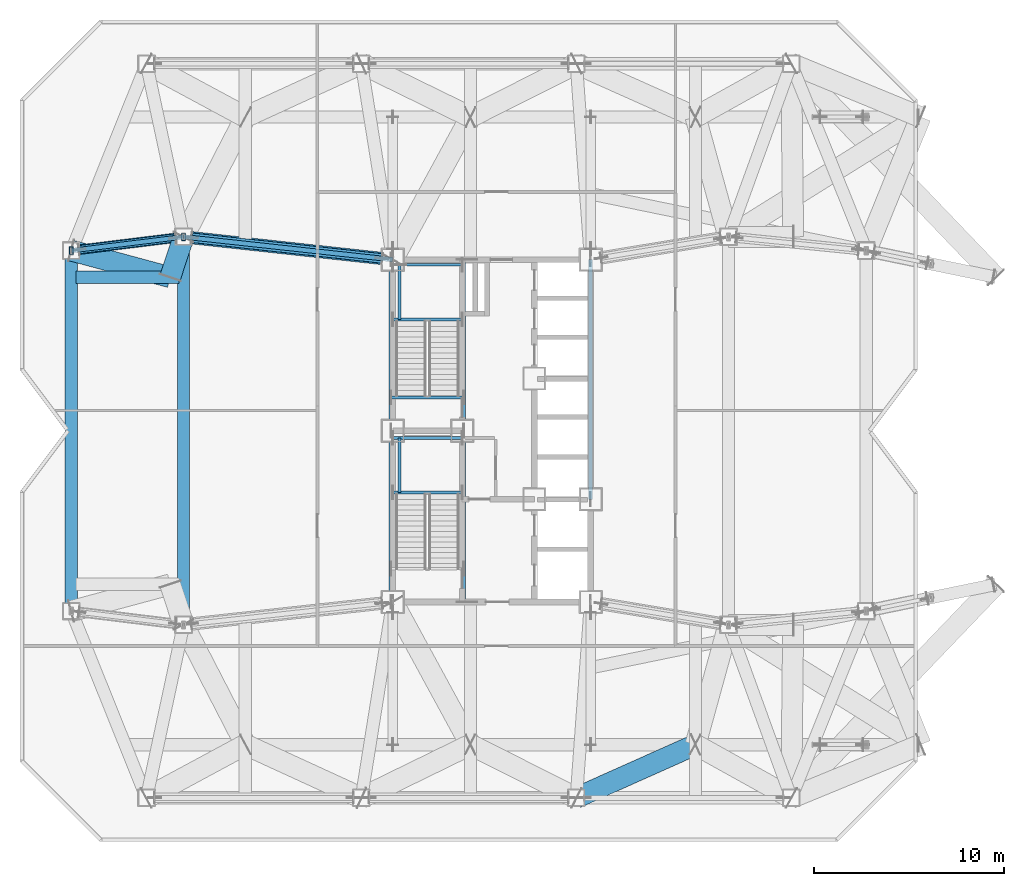
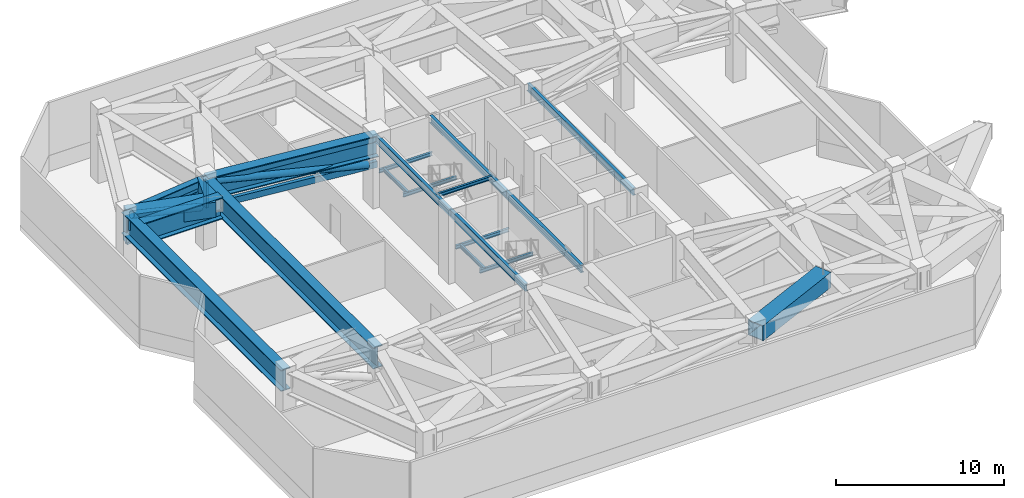
# One storey, part 3 of 19: 20 beams, 8 members.
"""IFC4 building model written with IfcOpenShell, lengths in metres."""

from ifc_helpers import new_model, si_unit, direction, frame, origin, origin_2d, place, context, subcontext, project, spatial, hollow_rectangle, hollow_circle, i_section, extrude, material, material_profile, profile_set, type_object, element, save


model = new_model("IFC4")

# Units and contexts
model_context = context("Model", 3, precision=1e-05, world=origin(), true_north=direction((0.0, 1.0)))
body_context = subcontext(model_context, "Body", "Model", "MODEL_VIEW")
ifc_project = project(units=[si_unit("LENGTHUNIT", "METRE"), si_unit("AREAUNIT", "SQUARE_METRE"), si_unit("VOLUMEUNIT", "CUBIC_METRE"), si_unit("PLANEANGLEUNIT", "RADIAN"), si_unit("MASSUNIT", "GRAM", prefix="KILO")], contexts=[model_context])

# Site, building, storey
site_placement = place(None, origin())
site = spatial("IfcSite", under=ifc_project, at=site_placement, CompositionType="ELEMENT")
building_placement = place(site_placement, origin())
building = spatial("IfcBuilding", under=site, at=building_placement, Name="Khamvora Tower", CompositionType="ELEMENT")
storey_placement = place(building_placement, frame((0.0, 0.0, 150.5)))
storey = spatial("IfcBuildingStorey", under=building, at=storey_placement, Name="L38", CompositionType="ELEMENT", Elevation=150.5)

# Beams
ifc_material_1 = material(Name="Steel S355", Category="steel")
ifc_material_profile_1 = material_profile(ifc_material_1, i_section(OverallWidth=0.14697265625, OverallDepth=0.261962890625, WebThickness=0.007080078125, FlangeThickness=0.010986328125, FilletRadius=0.008056640625, at=origin_2d()), Name="W250x39")
ifc_profile_set_1 = profile_set([ifc_material_profile_1], Name="Steel S355")
beam_type_1 = type_object("IfcBeamType", Name="BM-LN-W250x39", PredefinedType="LINTEL", material=ifc_profile_set_1)
for number, where, z_axis, x_axis, name in (
    (1, (29.0, 24.7548828125, 2.368896484375), (1.0, 0.0, 0.0), (0.0, 1.0, 0.0), "L38 ST-01 half-landing support beam 1.1"),
    (2, (29.0, 27.6298828125, 2.368896484375), (1.0, 0.0, 0.0), (0.0, 1.0, 0.0), "L38 ST-01 half-landing support beam 1.2"),
):
    element("IfcBeam", number, at=place(storey_placement, frame(where, z_axis=z_axis, x_axis=x_axis)), inside=storey, type_object=beam_type_1, Name=name, PredefinedType="LINTEL", context=body_context, shape_type="SweptSolid", body=[
        extrude(i_section(OverallWidth=0.14697265625, OverallDepth=0.261962890625, WebThickness=0.007080078125, FlangeThickness=0.010986328125, FilletRadius=0.008056640625, at=origin_2d()), origin(), (0.0, 0.0, 1.0), 3.64990234375),
    ])
beam_1_placement = place(storey_placement, frame((29.35009765625, 24.7548828125, 2.368896484375), z_axis=(0.0, 1.0, 0.0), x_axis=(-1.0, 0.0, 0.0)))
element("IfcBeam", 3, at=beam_1_placement, inside=storey, type_object=beam_type_1, Name="L38 ST-01 half-landing edge stringer 1", PredefinedType="LINTEL", context=body_context, shape_type="SweptSolid", body=[
    extrude(i_section(OverallWidth=0.14697265625, OverallDepth=0.261962890625, WebThickness=0.007080078125, FlangeThickness=0.010986328125, FilletRadius=0.008056640625, at=origin_2d()), origin(), (0.0, 0.0, 1.0), 2.875),
])
for number, where, z_axis, x_axis, name in (
    (4, (29.0, 33.85498046875, 2.368896484375), (1.0, 0.0, 0.0), (0.0, 1.0, 0.0), "L38 ST-02 half-landing support beam 1.1"),
    (5, (29.0, 36.72998046875, 2.368896484375), (1.0, 0.0, 0.0), (0.0, 1.0, 0.0), "L38 ST-02 half-landing support beam 1.2"),
):
    element("IfcBeam", number, at=place(storey_placement, frame(where, z_axis=z_axis, x_axis=x_axis)), inside=storey, type_object=beam_type_1, Name=name, PredefinedType="LINTEL", context=body_context, shape_type="SweptSolid", body=[
        extrude(i_section(OverallWidth=0.14697265625, OverallDepth=0.261962890625, WebThickness=0.007080078125, FlangeThickness=0.010986328125, FilletRadius=0.008056640625, at=origin_2d()), origin(), (0.0, 0.0, 1.0), 3.64990234375),
    ])
beam_2_placement = place(storey_placement, frame((29.35009765625, 33.85498046875, 2.368896484375), z_axis=(0.0, 1.0, 0.0), x_axis=(-1.0, 0.0, 0.0)))
element("IfcBeam", 6, at=beam_2_placement, inside=storey, type_object=beam_type_1, Name="L38 ST-02 half-landing edge stringer 1", PredefinedType="LINTEL", context=body_context, shape_type="SweptSolid", body=[
    extrude(i_section(OverallWidth=0.14697265625, OverallDepth=0.261962890625, WebThickness=0.007080078125, FlangeThickness=0.010986328125, FilletRadius=0.008056640625, at=origin_2d()), origin(), (0.0, 0.0, 1.0), 2.875),
])
beam_3_placement = place(storey_placement, frame((28.89990234375, 29.75, 4.85400390625), z_axis=(1.0, 0.0, 0.0), x_axis=(0.0, 1.0, 0.0)))
element("IfcBeam", 7, at=beam_3_placement, inside=storey, type_object=beam_type_1, Name="L38 exit stair ST-02 landing trimmer beam", PredefinedType="LINTEL", context=body_context, shape_type="SweptSolid", body=[
    extrude(i_section(OverallWidth=0.14697265625, OverallDepth=0.261962890625, WebThickness=0.007080078125, FlangeThickness=0.010986328125, FilletRadius=0.008056640625, at=origin_2d()), origin(), (0.0, 0.0, 1.0), 3.830078125),
])
ifc_material_profile_2 = material_profile(ifc_material_1, i_section(OverallWidth=0.208984375, OverallDepth=0.532958984375, WebThickness=0.010009765625, FlangeThickness=0.01611328125, FilletRadius=0.013916015625, at=origin_2d()), Name="W530x92")
ifc_profile_set_2 = profile_set([ifc_material_profile_2], Name="Steel S355")
beam_type_2 = type_object("IfcBeamType", Name="BM-SP-W530x92", PredefinedType="SPANDREL", material=ifc_profile_set_2)
for number, where, z_axis, x_axis, name in (
    (8, (28.89990234375, 19.0, 4.712890625), (0.0, 1.0, 0.0), (-1.0, 0.0, 0.0), "L38 core spine girder WS"),
    (9, (28.89990234375, 28.0, 4.712890625), (0.0, 1.0, 0.0), (-1.0, 0.0, 0.0), "L38 core spine girder WN"),
    (10, (32.72998046875, 19.0, 4.712890625), (0.0, 1.0, 0.0), (-1.0, 0.0, 0.0), "L38 core spine girder M1S"),
    (11, (32.72998046875, 28.0, 4.712890625), (0.0, 1.0, 0.0), (-1.0, 0.0, 0.0), "L38 core spine girder M1N"),
):
    element("IfcBeam", number, at=place(storey_placement, frame(where, z_axis=z_axis, x_axis=x_axis)), inside=storey, type_object=beam_type_2, Name=name, PredefinedType="SPANDREL", context=body_context, shape_type="SweptSolid", body=[
        extrude(i_section(OverallWidth=0.208984375, OverallDepth=0.532958984375, WebThickness=0.010009765625, FlangeThickness=0.01611328125, FilletRadius=0.013916015625, at=origin_2d()), origin(), (0.0, 0.0, 1.0), 9.0),
    ])
beam_4_placement = place(storey_placement, frame((39.39990234375, 24.39990234375, 4.712890625), z_axis=(0.0, 1.0, 0.0), x_axis=(-1.0, 0.0, 0.0)))
element("IfcBeam", 12, at=beam_4_placement, inside=storey, type_object=beam_type_2, Name="L38 core spine girder EN", PredefinedType="SPANDREL", context=body_context, shape_type="SweptSolid", body=[
    extrude(i_section(OverallWidth=0.208984375, OverallDepth=0.532958984375, WebThickness=0.010009765625, FlangeThickness=0.01611328125, FilletRadius=0.013916015625, at=origin_2d()), origin(), (0.0, 0.0, 1.0), 12.60009765625),
])
ifc_material_2 = material(Name="Steel S460", Category="steel")
ifc_material_profile_3 = material_profile(ifc_material_2, hollow_rectangle(XDim=1.10009765625, YDim=1.10009765625, WallThickness=0.054931640625, at=origin_2d()), Name="BOX1100x1100x55")
ifc_profile_set_3 = profile_set([ifc_material_profile_3], Name="Steel S460")
beam_type_3 = type_object("IfcBeamType", Name="BM-TG-BOX1100", PredefinedType="BEAM", material=ifc_profile_set_3)
beam_5_placement = place(storey_placement, frame((38.64990234375, 8.699951171875, 4.429931640625), z_axis=(0.913016320548, 0.40792303001, 0.0), x_axis=(-0.40792303001, 0.913016320548, 0.0)))
element("IfcBeam", 13, at=beam_5_placement, inside=storey, type_object=beam_type_3, Name="L38 Zone Transfer Truss frame transfer link S3.3", PredefinedType="BEAM", context=body_context, shape_type="SweptSolid", body=[
    extrude(hollow_rectangle(XDim=1.10009765625, YDim=1.10009765625, WallThickness=0.054931640625, at=origin_2d()), origin(), (0.0, 0.0, 1.0), 6.8642578125),
])
beam_6_placement = place(storey_placement, frame((18.0, 38.199951171875, 4.429931640625), z_axis=(-0.312853886784, -0.949801266331, 0.0), x_axis=(0.949801266331, -0.312853886784, 0.0)))
element("IfcBeam", 14, at=beam_6_placement, inside=storey, type_object=beam_type_3, Name="L38 Zone Transfer Truss frame transfer link W2.1", PredefinedType="BEAM", context=body_context, shape_type="SweptSolid", body=[
    extrude(hollow_rectangle(XDim=1.10009765625, YDim=1.10009765625, WallThickness=0.054931640625, at=origin_2d()), origin(), (0.0, 0.0, 1.0), 2.2373046875),
])
beam_7_placement = place(storey_placement, frame((12.10009765625, 37.47509765625, 4.429931640625), z_axis=(0.965608316792, -0.260001112578, 0.0), x_axis=(0.260001112578, 0.965608316792, 0.0)))
element("IfcBeam", 15, at=beam_7_placement, inside=storey, type_object=beam_type_3, Name="L38 Zone Transfer Truss frame transfer link W2.2", PredefinedType="BEAM", context=body_context, shape_type="SweptSolid", body=[
    extrude(hollow_rectangle(XDim=1.10009765625, YDim=1.10009765625, WallThickness=0.054931640625, at=origin_2d()), origin(), (0.0, 0.0, 1.0), 5.38525390625),
])
ifc_material_profile_4 = material_profile(ifc_material_2, i_section(OverallWidth=0.64990234375, OverallDepth=1.550048828125, WebThickness=0.0400390625, FlangeThickness=0.06494140625, at=origin_2d()), Name="PG1550x650x40x65")
ifc_profile_set_4 = profile_set([ifc_material_profile_4], Name="Steel S460")
beam_type_4 = type_object("IfcBeamType", Name="BM-TG-PG1800", PredefinedType="BEAM", material=ifc_profile_set_4)
beam_8_placement = place(storey_placement, frame((12.10009765625, 37.47509765625, 4.205078125), z_axis=(0.0, -1.0, 0.0), x_axis=(1.0, 0.0, 0.0)))
element("IfcBeam", 16, at=beam_8_placement, inside=storey, type_object=beam_type_4, Name="L38 perimeter spandrel beam W2-W1", PredefinedType="BEAM", context=body_context, shape_type="SweptSolid", body=[
    extrude(i_section(OverallWidth=0.64990234375, OverallDepth=1.550048828125, WebThickness=0.0400390625, FlangeThickness=0.06494140625, at=origin_2d()), origin(), (0.0, 0.0, 1.0), 18.9501953125),
])
beam_9_placement = place(storey_placement, frame((18.0, 17.800048828125, 4.205078125), z_axis=(0.0, 1.0, 0.0), x_axis=(-1.0, 0.0, 0.0)))
element("IfcBeam", 17, at=beam_9_placement, inside=storey, type_object=beam_type_4, Name="L38 longitudinal frame girder MW1-MW2", PredefinedType="BEAM", context=body_context, shape_type="SweptSolid", body=[
    extrude(i_section(OverallWidth=0.64990234375, OverallDepth=1.550048828125, WebThickness=0.0400390625, FlangeThickness=0.06494140625, at=origin_2d()), origin(), (0.0, 0.0, 1.0), 20.39990234375),
])
beam_10_placement = place(storey_placement, frame((29.0, 37.0, 4.205078125), z_axis=(-0.994102652327, 0.108443149329, 0.0), x_axis=(-0.108443149329, -0.994102652327, 0.0)))
element("IfcBeam", 18, at=beam_10_placement, inside=storey, type_object=beam_type_4, Name="L38 primary floor girder MW2", PredefinedType="BEAM", context=body_context, shape_type="SweptSolid", body=[
    extrude(i_section(OverallWidth=0.64990234375, OverallDepth=1.550048828125, WebThickness=0.0400390625, FlangeThickness=0.06494140625, at=origin_2d()), origin(), (0.0, 0.0, 1.0), 11.065185546875),
])
beam_11_placement = place(storey_placement, frame((12.340087890625, 36.074951171875, 4.205078125), z_axis=(1.0, 0.0, 0.0), x_axis=(0.0, 1.0, 0.0)))
element("IfcBeam", 19, at=beam_11_placement, inside=storey, type_object=beam_type_4, Name="L38 Zone Transfer Truss Box Girder W2", PredefinedType="BEAM", context=body_context, shape_type="SweptSolid", body=[
    extrude(i_section(OverallWidth=0.64990234375, OverallDepth=1.550048828125, WebThickness=0.0400390625, FlangeThickness=0.06494140625, at=origin_2d()), origin(), (0.0, 0.0, 1.0), 5.419921875),
])
ifc_material_profile_5 = material_profile(ifc_material_2, i_section(OverallWidth=0.423095703125, OverallDepth=0.93310546875, WebThickness=0.02392578125, FlangeThickness=0.04296875, FilletRadius=0.02001953125, at=origin_2d()), Name="W920x446")
ifc_profile_set_5 = profile_set([ifc_material_profile_5], Name="Steel S460")
beam_type_5 = type_object("IfcBeamType", Name="BM-TL-900", PredefinedType="BEAM", material=ifc_profile_set_5)
beam_12_placement = place(storey_placement, frame((18.0, 38.199951171875, 4.512939453125), z_axis=(-0.992537264608, -0.12194170068, 0.0), x_axis=(0.12194170068, -0.992537264608, 0.0)))
element("IfcBeam", 20, at=beam_12_placement, inside=storey, type_object=beam_type_5, Name="L38 primary floor girder W2", PredefinedType="BEAM", context=body_context, shape_type="SweptSolid", body=[
    extrude(i_section(OverallWidth=0.423095703125, OverallDepth=0.93310546875, WebThickness=0.02392578125, FlangeThickness=0.04296875, FilletRadius=0.02001953125, at=origin_2d()), origin(), (0.0, 0.0, 1.0), 5.9443359375),
])

# Members
ifc_material_profile_6 = material_profile(ifc_material_2, hollow_circle(Radius=0.25390625, WallThickness=0.02490234375, at=origin_2d()), Name="CHS508x25")
ifc_profile_set_6 = profile_set([ifc_material_profile_6], Name="Steel S460")
member_type_1 = type_object("IfcMemberType", Name="MEM-BR-CHS508I", PredefinedType="BRACE", material=ifc_profile_set_6)
member_1_placement = place(storey_placement, frame((28.430908203125, 37.06201171875, 2.85693359375), z_axis=(-0.980211419793, 0.106936066943, 0.166584063148), x_axis=(-0.108451431007, -0.994101748873, 0.0)))
element("IfcMember", 21, at=member_1_placement, inside=storey, type_object=member_type_1, Name="L38 Outrigger Truss Web Diagonal 3", PredefinedType="BRACE", context=body_context, shape_type="SweptSolid", body=[
    extrude(hollow_circle(Radius=0.25390625, WallThickness=0.02490234375, at=origin_2d()), origin(), (0.0, 0.0, 1.0), 10.212158203125),
])
member_2_placement = place(storey_placement, frame((17.593017578125, 38.14990234375, 2.888916015625), z_axis=(-0.946786414703, -0.116348560947, 0.30009747966), x_axis=(0.121970352572, -0.992533744058, 0.0)))
element("IfcMember", 22, at=member_2_placement, inside=storey, type_object=member_type_1, Name="L38 Outrigger Truss Web Diagonal 4", PredefinedType="BRACE", context=body_context, shape_type="SweptSolid", body=[
    extrude(hollow_circle(Radius=0.25390625, WallThickness=0.02490234375, at=origin_2d()), origin(), (0.0, 0.0, 1.0), 5.371826171875),
])
ifc_material_profile_7 = material_profile(ifc_material_2, hollow_rectangle(XDim=0.25, YDim=0.449951171875, WallThickness=0.01611328125, at=origin_2d()), Name="RHS450x250x16")
ifc_profile_set_7 = profile_set([ifc_material_profile_7], Name="Steel S460")
member_type_2 = type_object("IfcMemberType", Name="MEM-CH-RHS450", PredefinedType="CHORD", material=ifc_profile_set_7)
for number, where, z_axis, x_axis, name in (
    (23, (29.0, 37.0, 4.6298828125), (-0.994102652327, 0.108443149329, 0.0), (-0.108443149329, -0.994102652327, 0.0), "L38 Outrigger Truss Top Chord 3"),
    (24, (29.0, 37.0, 2.760009765625), (-0.994102652327, 0.108443149329, 0.0), (-0.108443149329, -0.994102652327, 0.0), "L38 Outrigger Truss Bottom Chord 3"),
):
    element("IfcMember", number, at=place(storey_placement, frame(where, z_axis=z_axis, x_axis=x_axis)), inside=storey, type_object=member_type_2, Name=name, PredefinedType="CHORD", context=body_context, shape_type="SweptSolid", body=[
        extrude(hollow_rectangle(XDim=0.25, YDim=0.449951171875, WallThickness=0.01611328125, at=origin_2d()), origin(), (0.0, 0.0, 1.0), 11.065185546875),
    ])
for number, where, z_axis, x_axis, name in (
    (25, (18.0, 38.199951171875, 4.6298828125), (-0.992537264608, -0.12194170068, 0.0), (0.12194170068, -0.992537264608, 0.0), "L38 Outrigger Truss Top Chord 4"),
    (26, (18.0, 38.199951171875, 2.760009765625), (-0.992537264608, -0.12194170068, 0.0), (0.12194170068, -0.992537264608, 0.0), "L38 Outrigger Truss Bottom Chord 4"),
):
    element("IfcMember", number, at=place(storey_placement, frame(where, z_axis=z_axis, x_axis=x_axis)), inside=storey, type_object=member_type_2, Name=name, PredefinedType="CHORD", context=body_context, shape_type="SweptSolid", body=[
        extrude(hollow_rectangle(XDim=0.25, YDim=0.449951171875, WallThickness=0.01611328125, at=origin_2d()), origin(), (0.0, 0.0, 1.0), 5.9443359375),
    ])
ifc_material_profile_8 = material_profile(ifc_material_1, hollow_rectangle(XDim=0.199951171875, YDim=0.39990234375, WallThickness=0.01611328125, at=origin_2d()), Name="RHS400x200x16")
ifc_profile_set_8 = profile_set([ifc_material_profile_8], Name="Steel S355")
member_type_3 = type_object("IfcMemberType", Name="MEM-PS-RHS400", PredefinedType="POST", material=ifc_profile_set_8)
for number, where, z_axis, x_axis, name in (
    (27, (18.0, 38.199951171875, 2.760009765625), (0.0, 0.0, 1.0), (1.0, 0.0, 0.0), "L38 Outrigger Truss Post 3"),
    (28, (12.10009765625, 37.47509765625, 2.760009765625), (0.0, 0.0, 1.0), (1.0, 0.0, 0.0), "L38 Outrigger Truss Post 4"),
):
    element("IfcMember", number, at=place(storey_placement, frame(where, z_axis=z_axis, x_axis=x_axis)), inside=storey, type_object=member_type_3, Name=name, PredefinedType="POST", context=body_context, shape_type="SweptSolid", body=[
        extrude(hollow_rectangle(XDim=0.199951171875, YDim=0.39990234375, WallThickness=0.01611328125, at=origin_2d()), origin(), (0.0, 0.0, 1.0), 1.869873046875),
    ])

save(model, "model.ifc")
